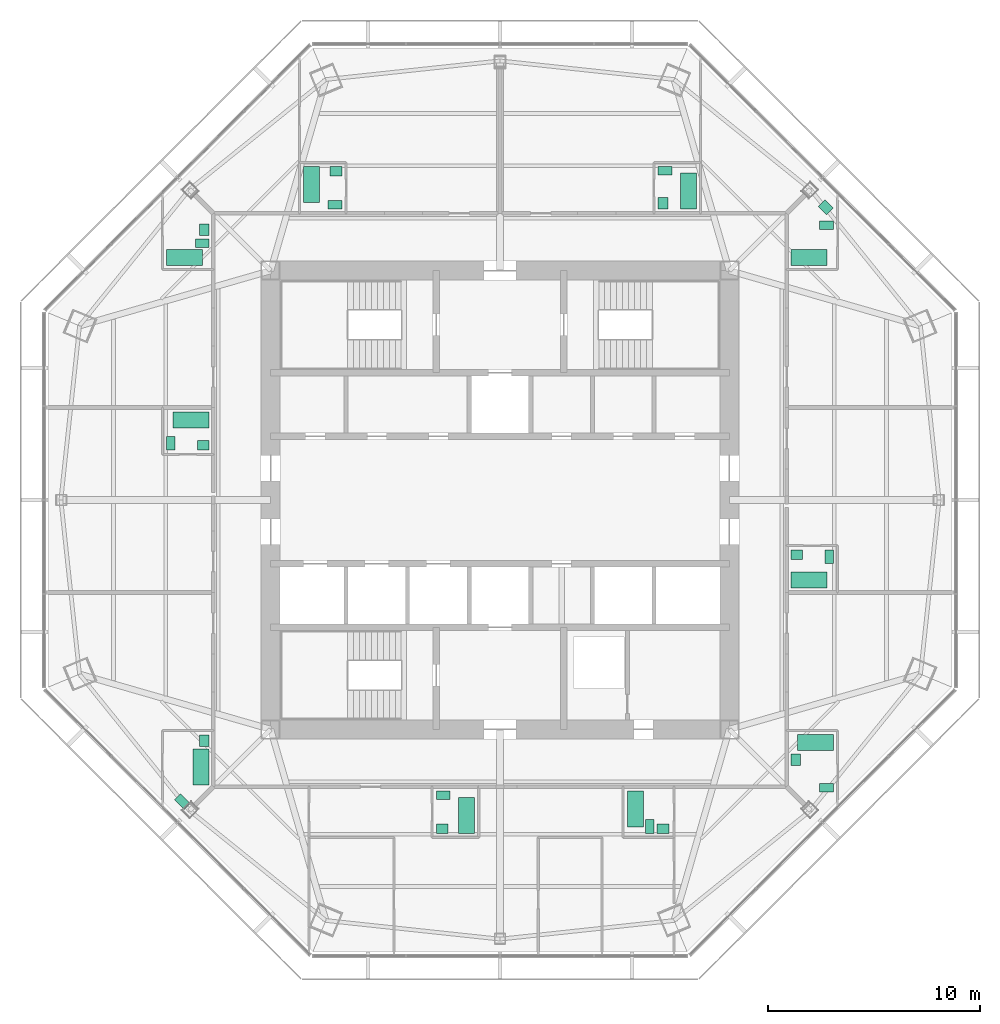
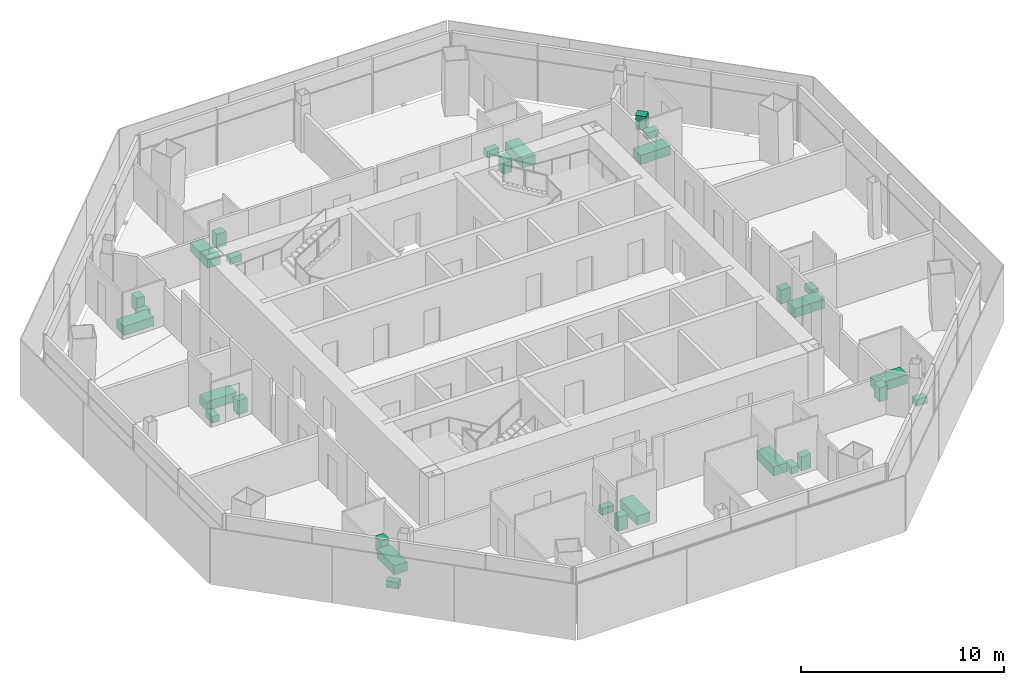
# One storey, part 15 of 15: 30 sanitary terminals.
"""IFC4 building model written with IfcOpenShell, lengths in metres."""

from ifc_helpers import new_model, si_unit, direction, frame, origin, origin_2d, place, context, subcontext, project, spatial, rectangle, extrude, material, type_object, element, save


model = new_model("IFC4")

# Units and contexts
model_context = context("Model", 3, precision=1e-05, world=origin(), true_north=direction((0.0, 1.0)))
body_context = subcontext(model_context, "Body", "Model", "MODEL_VIEW")
ifc_project = project(units=[si_unit("LENGTHUNIT", "METRE"), si_unit("AREAUNIT", "SQUARE_METRE"), si_unit("VOLUMEUNIT", "CUBIC_METRE"), si_unit("PLANEANGLEUNIT", "RADIAN"), si_unit("MASSUNIT", "GRAM", prefix="KILO")], contexts=[model_context])

# Site, building, storey
site_placement = place(None, origin())
site = spatial("IfcSite", under=ifc_project, at=site_placement, CompositionType="ELEMENT")
building_placement = place(site_placement, origin())
building = spatial("IfcBuilding", under=site, at=building_placement, Name="Mashrafa Tower", CompositionType="ELEMENT")
storey_placement = place(building_placement, frame((0.0, 0.0, 231.199951171875)))
storey = spatial("IfcBuildingStorey", under=building, at=storey_placement, Name="L54", CompositionType="ELEMENT", Elevation=231.199951171875)

# Sanitary terminals
ifc_material_1 = material(Name="Enamelled steel", Category="steel")
sanitary_terminal_type_1 = type_object("IfcSanitaryTerminalType", Name="Bath 1700 x 750", PredefinedType="BATH", material=ifc_material_1)
for number, where, z_axis, x_axis, name in (
    (1, (14.85009765625, -11.425048828125, 0.0), (0.0, 0.0, 1.0), (-1.0, 0.0, 0.0), "Bath Apartment 5401 Bathroom"),
    (2, (14.550048828125, -3.77490234375, 0.0), (0.0, 0.0, 1.0), (1.0, 0.0, 0.0), "Bath Apartment 5402 Bathroom"),
    (3, (14.550048828125, 11.425048828125, 0.0), (0.0, 0.0, 1.0), (1.0, 0.0, 0.0), "Bath Apartment 5403 Bathroom"),
    (4, (8.875, 14.550048828125, 0.0), (0.0, 0.0, 1.0), (0.0, 1.0, 0.0), "Bath Apartment 5404 Bathroom"),
    (5, (-8.875, 14.85009765625, 0.0), (0.0, 0.0, 1.0), (0.0, -1.0, 0.0), "Bath Apartment 5405 Bathroom"),
    (6, (-14.85009765625, 11.425048828125, 0.0), (0.0, 0.0, 1.0), (1.0, 0.0, 0.0), "Bath Apartment 5406 Bathroom"),
    (7, (-14.550048828125, 3.77490234375, 0.0), (0.0, 0.0, 1.0), (-1.0, 0.0, 0.0), "Bath Apartment 5407 Bathroom"),
    (8, (-14.074951171875, -12.567138671875, 0.0), (0.0, 0.0, 1.0), (0.0, 1.0, 0.0), "Bath Apartment 5408 Bathroom"),
    (9, (-1.574951171875, -14.85009765625, 0.0), (0.0, 0.0, 1.0), (0.0, 1.0, 0.0), "Bath Apartment 5409 Bathroom"),
    (10, (6.375, -14.550048828125, 0.0), (0.0, 0.0, 1.0), (0.0, -1.0, 0.0), "Bath Apartment 5409 En-suite Bathroom"),
):
    element("IfcSanitaryTerminal", number, at=place(storey_placement, frame(where, z_axis=z_axis, x_axis=x_axis)), inside=storey, type_object=sanitary_terminal_type_1, Name=name, PredefinedType="BATH", context=body_context, shape_type="SweptSolid", body=[
        extrude(rectangle(XDim=1.699951171875, YDim=0.75, at=origin_2d()), origin(), (0.0, 0.0, 1.0), 0.550048828125),
    ])
ifc_material_2 = material(Name="Vitreous china")
sanitary_terminal_type_2 = type_object("IfcSanitaryTerminalType", Name="Toilet pan 400 x 650", PredefinedType="TOILETPAN", material=ifc_material_2)
for number, where, z_axis, x_axis, name in (
    (11, (15.375, -13.550048828125, 0.0), (0.0, 0.0, 1.0), (0.0, 1.0, 0.0), "Toilet pan Apartment 5401 Bathroom"),
    (12, (15.5, -2.675048828125, 0.0), (0.0, 0.0, 1.0), (-1.0, 0.0, 0.0), "Toilet pan Apartment 5402 Bathroom"),
    (13, (15.375, 12.949951171875, 0.0), (0.0, 0.0, 1.0), (0.0, 1.0, 0.0), "Toilet pan Apartment 5403 Bathroom"),
    (14, (7.77490234375, 15.5, 0.0), (0.0, 0.0, 1.0), (0.0, -1.0, 0.0), "Toilet pan Apartment 5404 Bathroom"),
    (15, (-7.77490234375, 13.89990234375, 0.0), (0.0, 0.0, 1.0), (0.0, 1.0, 0.0), "Toilet pan Apartment 5405 Bathroom"),
    (16, (-14.02490234375, 12.10009765625, 0.0), (0.0, 0.0, 1.0), (0.0, 1.0, 0.0), "Toilet pan Apartment 5406 Bathroom"),
    (17, (-15.5, 2.675048828125, 0.0), (0.0, 0.0, 1.0), (1.0, 0.0, 0.0), "Toilet pan Apartment 5407 Bathroom"),
    (18, (-14.954833984375, -14.21240234375, 0.0), (0.0, 0.0, 1.0), (0.707106781187, 0.707106781187, 0.0), "Toilet pan Apartment 5408 Bathroom"),
    (19, (-2.675048828125, -13.89990234375, 0.0), (0.0, 0.0, 1.0), (0.0, -1.0, 0.0), "Toilet pan Apartment 5409 Bathroom"),
    (20, (7.050048828125, -15.375, 0.0), (0.0, 0.0, 1.0), (1.0, 0.0, 0.0), "Toilet pan Apartment 5409 En-suite Bathroom"),
):
    element("IfcSanitaryTerminal", number, at=place(storey_placement, frame(where, z_axis=z_axis, x_axis=x_axis)), inside=storey, type_object=sanitary_terminal_type_2, Name=name, PredefinedType="TOILETPAN", context=body_context, shape_type="SweptSolid", body=[
        extrude(rectangle(XDim=0.39990234375, YDim=0.64990234375, at=origin_2d()), origin(), (0.0, 0.0, 1.0), 0.39990234375),
    ])
ifc_material_3 = material(Name="Vitreous china")
sanitary_terminal_type_3 = type_object("IfcSanitaryTerminalType", Name="Wash basin 550 x 450", PredefinedType="WASHHANDBASIN", material=ifc_material_3)
for number, where, z_axis, x_axis, name in (
    (21, (13.925048828125, -12.22509765625, 0.0), (0.0, 0.0, 1.0), (0.0, -1.0, 0.0), "Wash basin Apartment 5401 Bathroom"),
    (22, (13.97509765625, -2.574951171875, 0.0), (0.0, 0.0, 1.0), (-1.0, 0.0, 0.0), "Wash basin Apartment 5402 Bathroom"),
    (23, (15.346435546875, 13.785400390625, 0.0), (0.0, 0.0, 1.0), (-0.707106781187, 0.707106781187, 0.0), "Wash basin Apartment 5403 Bathroom"),
    (24, (7.675048828125, 13.97509765625, 0.0), (0.0, 0.0, 1.0), (0.0, -1.0, 0.0), "Wash basin Apartment 5404 Bathroom"),
    (25, (-7.72509765625, 15.47509765625, 0.0), (0.0, 0.0, 1.0), (-1.0, 0.0, 0.0), "Wash basin Apartment 5405 Bathroom"),
    (26, (-13.925048828125, 12.72509765625, 0.0), (0.0, 0.0, 1.0), (0.0, 1.0, 0.0), "Wash basin Apartment 5406 Bathroom"),
    (27, (-13.97509765625, 2.574951171875, 0.0), (0.0, 0.0, 1.0), (1.0, 0.0, 0.0), "Wash basin Apartment 5407 Bathroom"),
    (28, (-13.925048828125, -11.34228515625, 0.0), (0.0, 0.0, 1.0), (0.0, 1.0, 0.0), "Wash basin Apartment 5408 Bathroom"),
    (29, (-2.72509765625, -15.47509765625, 0.0), (0.0, 0.0, 1.0), (1.0, 0.0, 0.0), "Wash basin Apartment 5409 Bathroom"),
    (30, (7.675048828125, -15.47509765625, 0.0), (0.0, 0.0, 1.0), (1.0, 0.0, 0.0), "Wash basin Apartment 5409 En-suite Bathroom"),
):
    element("IfcSanitaryTerminal", number, at=place(storey_placement, frame(where, z_axis=z_axis, x_axis=x_axis)), inside=storey, type_object=sanitary_terminal_type_3, Name=name, PredefinedType="WASHHANDBASIN", context=body_context, shape_type="SweptSolid", body=[
        extrude(rectangle(XDim=0.550048828125, YDim=0.449951171875, at=origin_2d()), origin(), (0.0, 0.0, 1.0), 0.85009765625),
    ])

save(model, "model.ifc")
